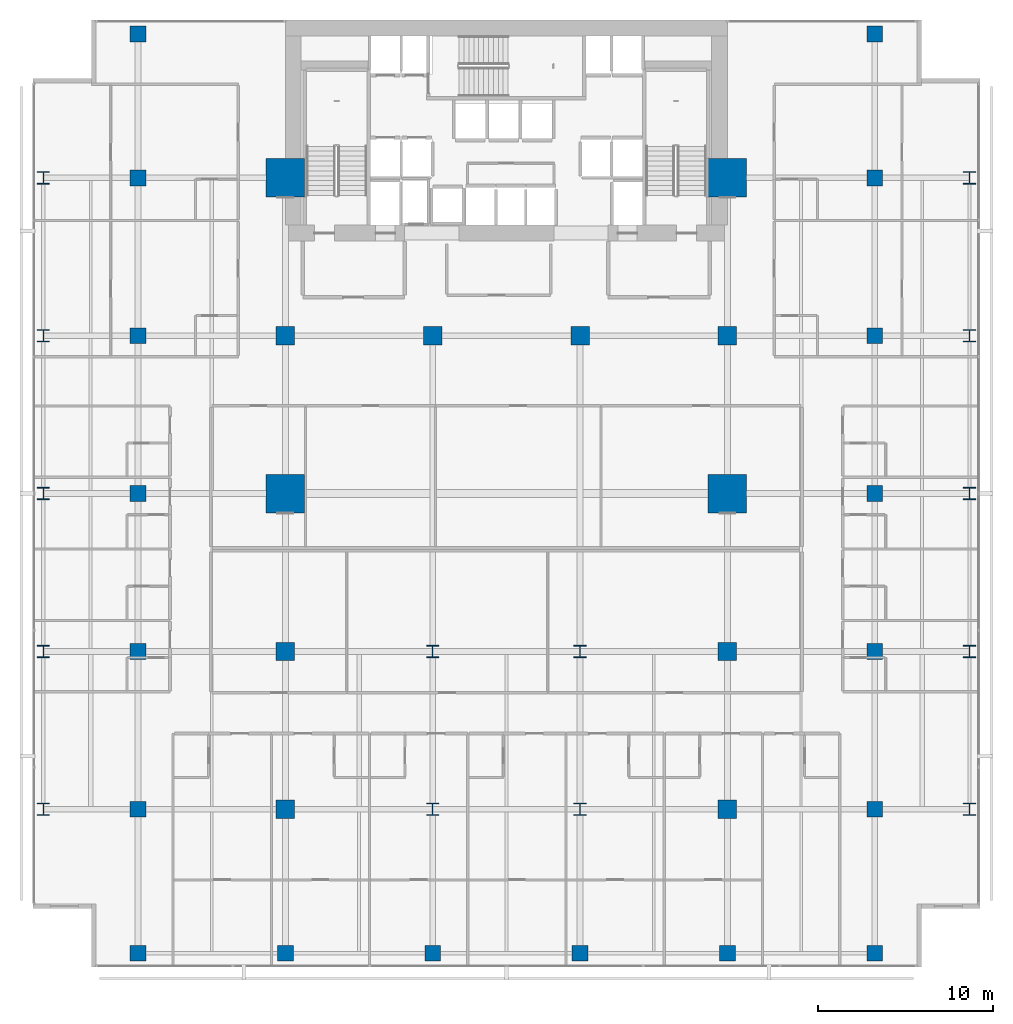
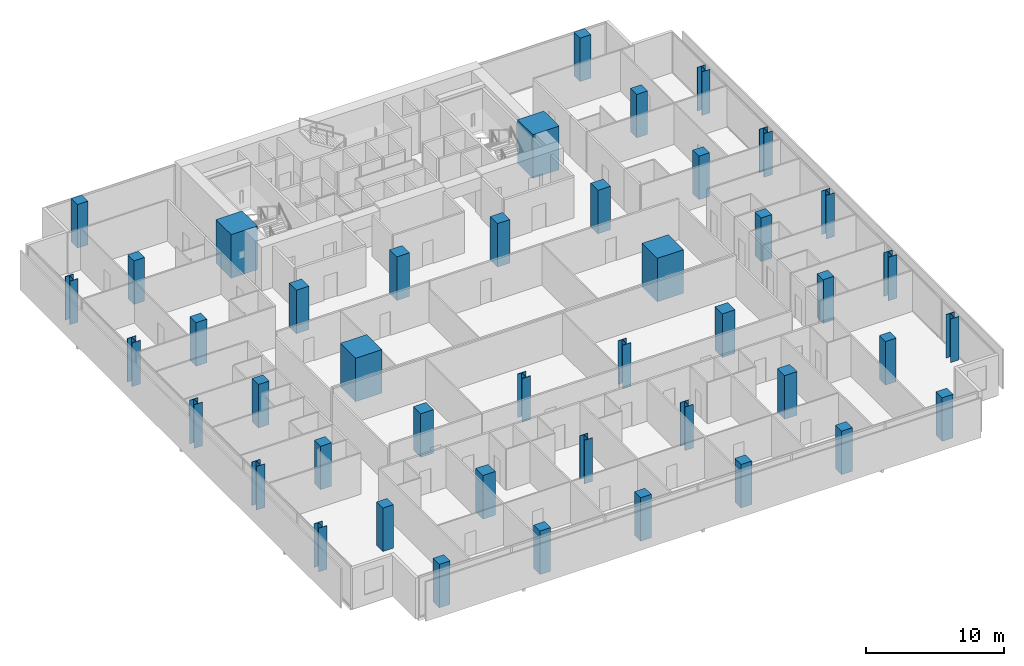
# One storey, part 1 of 40: 44 columns.
"""IFC4 building model written with IfcOpenShell, lengths in metres."""

import ifcopenshell
import ifcopenshell.guid

model = None  # the IFC model being written
_history = None  # IfcOwnerHistory: only IFC2X3 demands one
_inside = {}  # id of a spatial element -> (the spatial element, [elements in it])
_under = {}  # id of a project, library or spatial element -> (it, [spatial elements below it])
_declared = {}  # id of a project -> (the project, [libraries it declares])
_typed = {}  # id of a type object -> (the type object, [elements of that type])
_made_of = {}  # id of a material, layer set ... -> (it, [elements and type objects made of it])


def new_model(schema):
    """Start an empty IFC model of exactly this schema.

    Asked for "IFC4X3", IfcOpenShell would pick the latest addendum, in which some entities
    have other attributes; the version numbers below select the first issue.
    IFC2X3 requires an IfcOwnerHistory on every rooted entity: one is made here for all.
    """
    global model, _history
    if schema == "IFC4X3":
        model = ifcopenshell.file(schema_version=(4, 3, 0, 0))
    else:
        model = ifcopenshell.file(schema=schema)
    _inside.clear()
    _under.clear()
    _declared.clear()
    _typed.clear()
    _made_of.clear()
    _history = None
    if model.schema == "IFC2X3":
        org = make("IfcOrganization", Name="unknown")
        user = make(
            "IfcPersonAndOrganization",
            ThePerson=make("IfcPerson", FamilyName="unknown"),
            TheOrganization=org,
        )
        app = make(
            "IfcApplication",
            ApplicationDeveloper=org,
            Version="unknown",
            ApplicationFullName="unknown",
            ApplicationIdentifier="unknown",
        )
        _history = make(
            "IfcOwnerHistory",
            OwningUser=user,
            OwningApplication=app,
            ChangeAction="ADDED",
            CreationDate=0,
        )
    return model


def make(cls, **values):
    """One entity of the class cls with the attributes given. An attribute that is None is left unset."""
    return model.create_entity(
        cls, **{name: value for name, value in values.items() if value is not None}
    )


def rooted(cls, **values):
    """An entity with a GlobalId (a new one), such as an element, a storey or a relation."""
    return make(cls, GlobalId=ifcopenshell.guid.new(), OwnerHistory=_history, **values)


def si_unit(unit_type, name, prefix=None):
    """IfcSIUnit, for example si_unit("LENGTHUNIT", "METRE", prefix="MILLI")."""
    return make("IfcSIUnit", UnitType=unit_type, Prefix=prefix, Name=name)


def assignment(units):
    """IfcUnitAssignment: the units of a project."""
    return None if units is None else make("IfcUnitAssignment", Units=units)


def point(xyz):
    """IfcCartesianPoint."""
    return None if xyz is None else make("IfcCartesianPoint", Coordinates=xyz)


def direction(xyz):
    """IfcDirection."""
    return None if xyz is None else make("IfcDirection", DirectionRatios=xyz)


def frame(location, z_axis=None, x_axis=None):
    """IfcAxis2Placement3D, a coordinate frame: its origin and axes. An axis left out is left unset."""
    return make(
        "IfcAxis2Placement3D",
        Location=point(location),
        Axis=direction(z_axis),
        RefDirection=direction(x_axis),
    )


def frame_2d(location, x_axis=None):
    """IfcAxis2Placement2D, a coordinate frame in the plane: its origin and x axis."""
    return make(
        "IfcAxis2Placement2D", Location=point(location), RefDirection=direction(x_axis)
    )


def origin():
    """The frame at (0, 0, 0) with its axes left unset."""
    return frame((0.0, 0.0, 0.0))


def origin_2d():
    """The frame at (0, 0) in the plane with its x axis left unset."""
    return frame_2d((0.0, 0.0))


def place(relative_to, where):
    """IfcLocalPlacement: puts the frame where relative to a parent placement (None: the world)."""
    return make(
        "IfcLocalPlacement", PlacementRelTo=relative_to, RelativePlacement=where
    )


def context(
    kind, dimensions, precision=None, world=None, true_north=None, identifier=None
):
    """IfcGeometricRepresentationContext, for example the 3D "Model" context."""
    return make(
        "IfcGeometricRepresentationContext",
        ContextIdentifier=identifier,
        ContextType=kind,
        CoordinateSpaceDimension=dimensions,
        Precision=precision,
        WorldCoordinateSystem=world,
        TrueNorth=true_north,
    )


def subcontext(parent, identifier, kind, view, scale=None):
    """IfcGeometricRepresentationSubContext, for example "Body" below "Model"."""
    return make(
        "IfcGeometricRepresentationSubContext",
        ContextIdentifier=identifier,
        ContextType=kind,
        ParentContext=parent,
        TargetScale=scale,
        TargetView=view,
    )


def project(units=None, contexts=None):
    """IfcProject with its units and contexts."""
    return rooted(
        "IfcProject",
        Name="project",
        RepresentationContexts=contexts,
        UnitsInContext=assignment(units),
    )


def spatial(cls, under=None, at=None, **own):
    """A site, building, storey or space (cls), placed at a placement, below another one or the project."""
    s = rooted(cls, ObjectPlacement=at, **own)
    if under is not None:
        _under.setdefault(under.id(), (under, []))[1].append(s)
    return s


def profile(cls, at=None, kind="AREA", **sizes):
    """A parametric profile (cls). Its sizes go by their IFC names, for example OverallWidth=200.0."""
    return make(cls, ProfileType=kind, Position=at, **sizes)


def rectangle(**sizes):
    """IfcRectangleProfileDef."""
    return profile("IfcRectangleProfileDef", **sizes)


def i_section(**sizes):
    """IfcIShapeProfileDef."""
    return profile("IfcIShapeProfileDef", **sizes)


def extrude(swept, where, along, depth):
    """IfcExtrudedAreaSolid: the profile swept, set in the frame where, extruded along a direction by depth."""
    return make(
        "IfcExtrudedAreaSolid",
        SweptArea=swept,
        Position=where,
        ExtrudedDirection=direction(along),
        Depth=depth,
    )


def shape(context_of_items, identifier, shape_type, items):
    """IfcShapeRepresentation: the items that make up one representation, for example the "Body"."""
    return make(
        "IfcShapeRepresentation",
        ContextOfItems=context_of_items,
        RepresentationIdentifier=identifier,
        RepresentationType=shape_type,
        Items=items,
    )


def material(Name=None, Category=None):
    """IfcMaterial."""
    return make("IfcMaterial", Name=Name, Category=Category)


def material_profile(
    of_material, cross_section, Name=None, Category=None, Priority=None
):
    """IfcMaterialProfile: a cross section and its material."""
    return make(
        "IfcMaterialProfile",
        Name=Name,
        Material=of_material,
        Profile=cross_section,
        Priority=Priority,
        Category=Category,
    )


def profile_set(profiles, Name=None, composite=None):
    """IfcMaterialProfileSet."""
    return make(
        "IfcMaterialProfileSet",
        Name=Name,
        MaterialProfiles=profiles,
        CompositeProfile=composite,
    )


def made_of(thing, what):
    """Note that an element or type object is made of a material, layer set ...; save() writes the relation."""
    if what is not None:
        _made_of.setdefault(what.id(), (what, []))[1].append(thing)
    return thing


def type_object(cls, material=None, **own):
    """A type object (cls), such as IfcWallType, which elements share."""
    return made_of(rooted(cls, **own), material)


def element(
    cls,
    number,
    at=None,
    inside=None,
    cuts=None,
    type_object=None,
    material=None,
    context=None,
    identifier="Body",
    shape_type=None,
    held_by="IfcProductDefinitionShape",
    body=None,
    shapes=None,
    **own,
):
    """One element of the class cls, such as IfcWall. Its Tag is "e" and its number.

    at: its placement. inside: the storey or other place that contains it. cuts: it is an
    opening in that element (IfcRelVoidsElement). A single representation is given by context,
    identifier, shape_type and body (its items); several are given by shapes. held_by: the class
    of the entity that holds the representations. save() writes the other relations.
    """
    e = rooted(cls, Tag="e%d" % number, ObjectPlacement=at, **own)
    if body is not None:
        shapes = [shape(context, identifier, shape_type, body)]
    if shapes is not None:
        e.Representation = make(held_by, Representations=shapes)
    if inside is not None:
        _inside.setdefault(inside.id(), (inside, []))[1].append(e)
    if cuts is not None:
        rooted(
            "IfcRelVoidsElement", RelatingBuildingElement=cuts, RelatedOpeningElement=e
        )
    if type_object is not None:
        _typed.setdefault(type_object.id(), (type_object, []))[1].append(e)
    return made_of(e, material)


def aggregate(whole, parts):
    """IfcRelAggregates: a whole, such as a stair, and the parts it consists of."""
    return rooted("IfcRelAggregates", RelatingObject=whole, RelatedObjects=parts)


def save(model, path):
    """Write the relations noted so far, then the file.

    IfcRelAggregates (storeys below a building ...), IfcRelContainedInSpatialStructure (elements
    in a storey), IfcRelDefinesByType, IfcRelAssociatesMaterial and IfcRelDeclares: one each for
    every whole, place, type object, material and project.
    """
    for whole, parts in _under.values():
        aggregate(whole, parts)
    for where, things in _inside.values():
        rooted(
            "IfcRelContainedInSpatialStructure",
            RelatedElements=things,
            RelatingStructure=where,
        )
    for kind, things in _typed.values():
        rooted("IfcRelDefinesByType", RelatedObjects=things, RelatingType=kind)
    for what, things in _made_of.values():
        rooted("IfcRelAssociatesMaterial", RelatedObjects=things, RelatingMaterial=what)
    for by, libraries in _declared.values():
        rooted("IfcRelDeclares", RelatingContext=by, RelatedDefinitions=libraries)
    model.write(path)


model = new_model("IFC4")

# Units and contexts
model_context = context("Model", 3, precision=1e-05, world=origin(), true_north=direction((0.0, 1.0)))
body_context = subcontext(model_context, "Body", "Model", "MODEL_VIEW")
ifc_project = project(units=[si_unit("LENGTHUNIT", "METRE"), si_unit("AREAUNIT", "SQUARE_METRE"), si_unit("VOLUMEUNIT", "CUBIC_METRE"), si_unit("PLANEANGLEUNIT", "RADIAN"), si_unit("MASSUNIT", "GRAM", prefix="KILO")], contexts=[model_context])

# Site, building, storey
site_placement = place(None, origin())
site = spatial("IfcSite", under=ifc_project, at=site_placement, CompositionType="ELEMENT")
building_placement = place(site_placement, origin())
building = spatial("IfcBuilding", under=site, at=building_placement, Name="Maruvema Waterfront Hotel and Observation Tower", CompositionType="ELEMENT")
storey_placement = place(building_placement, frame((0.0, 0.0, 53.89990234375)))
storey = spatial("IfcBuildingStorey", under=building, at=storey_placement, Name="L12", CompositionType="ELEMENT", Elevation=53.89990234375)

# Columns
ifc_material_1 = material(Name="Concrete C80/95", Category="concrete")
ifc_material_profile_1 = material_profile(ifc_material_1, rectangle(XDim=2.199951171875, YDim=2.199951171875, at=origin_2d()), Name="MC2200x2200")
ifc_profile_set_1 = profile_set([ifc_material_profile_1], Name="Concrete C80/95")
column_type_1 = type_object("IfcColumnType", Name="Continuous Mega-Column MC2200x2200", PredefinedType="COLUMN", material=ifc_profile_set_1)
for number, where, z_axis, x_axis, name in (
    (1, (25.199951171875, 27.0, 0.0), (0.0, 0.0, 1.0), (1.0, 0.0, 0.0), "L12 Continuous Mega-Column MC-01"),
    (2, (50.39990234375, 27.0, 0.0), (0.0, 0.0, 1.0), (1.0, 0.0, 0.0), "L12 Continuous Mega-Column MC-02"),
    (3, (25.199951171875, 45.0, 0.0), (0.0, 0.0, 1.0), (1.0, 0.0, 0.0), "L12 Continuous Mega-Column MC-03"),
    (4, (50.39990234375, 45.0, 0.0), (0.0, 0.0, 1.0), (1.0, 0.0, 0.0), "L12 Continuous Mega-Column MC-04"),
):
    element("IfcColumn", number, at=place(storey_placement, frame(where, z_axis=z_axis, x_axis=x_axis)), inside=storey, type_object=column_type_1, Name=name, PredefinedType="COLUMN", context=body_context, shape_type="SweptSolid", body=[
        extrude(rectangle(XDim=2.199951171875, YDim=2.199951171875, at=origin_2d()), origin(), (0.0, 0.0, 1.0), 3.85009765625),
    ])
ifc_material_2 = material(Name="Concrete C60/75", Category="concrete")
ifc_material_profile_2 = material_profile(ifc_material_2, rectangle(XDim=1.050048828125, YDim=1.050048828125, at=origin_2d()), Name="RC1050x1050")
ifc_profile_set_2 = profile_set([ifc_material_profile_2], Name="Concrete C60/75")
column_type_2 = type_object("IfcColumnType", Name="Reinforced Concrete Column RC1050x1050", PredefinedType="COLUMN", material=ifc_profile_set_2)
for number, where, z_axis, x_axis, name in (
    (5, (25.199951171875, 36.0, 0.0), (0.0, 0.0, 1.0), (1.0, 0.0, 0.0), "L12 Column C-4E"),
    (6, (33.60009765625, 36.0, 0.0), (0.0, 0.0, 1.0), (1.0, 0.0, 0.0), "L12 Column C-5E"),
    (7, (42.0, 36.0, 0.0), (0.0, 0.0, 1.0), (1.0, 0.0, 0.0), "L12 Column C-6E"),
    (8, (50.39990234375, 36.0, 0.0), (0.0, 0.0, 1.0), (1.0, 0.0, 0.0), "L12 Column C-7E"),
    (9, (25.199951171875, 18.0, 0.0), (0.0, 0.0, 1.0), (1.0, 0.0, 0.0), "L12 Column C-4C"),
    (10, (50.39990234375, 18.0, 0.0), (0.0, 0.0, 1.0), (1.0, 0.0, 0.0), "L12 Column C-7C"),
    (11, (25.199951171875, 9.0, 0.0), (0.0, 0.0, 1.0), (1.0, 0.0, 0.0), "L12 Column C-4B"),
    (12, (50.39990234375, 9.0, 0.0), (0.0, 0.0, 1.0), (1.0, 0.0, 0.0), "L12 Column C-7B"),
):
    element("IfcColumn", number, at=place(storey_placement, frame(where, z_axis=z_axis, x_axis=x_axis)), inside=storey, type_object=column_type_2, Name=name, PredefinedType="COLUMN", context=body_context, shape_type="SweptSolid", body=[
        extrude(rectangle(XDim=1.050048828125, YDim=1.050048828125, at=origin_2d()), origin(), (0.0, 0.0, 1.0), 3.85009765625),
    ])
ifc_material_3 = material(Name="Concrete C60/75", Category="concrete")
ifc_material_profile_3 = material_profile(ifc_material_3, rectangle(XDim=0.89990234375, YDim=0.89990234375, at=origin_2d()), Name="RC900x900")
ifc_profile_set_3 = profile_set([ifc_material_profile_3], Name="Concrete C60/75")
column_type_3 = type_object("IfcColumnType", Name="Reinforced Concrete Column RC900x900", PredefinedType="COLUMN", material=ifc_profile_set_3)
for number, where, z_axis, x_axis, name in (
    (13, (16.800048828125, 9.0, 0.0), (0.0, 0.0, 1.0), (1.0, 0.0, 0.0), "L12 Column C-3Y9"),
    (14, (58.800048828125, 9.0, 0.0), (0.0, 0.0, 1.0), (1.0, 0.0, 0.0), "L12 Column C-8Y9"),
    (15, (16.800048828125, 18.0, 0.0), (0.0, 0.0, 1.0), (1.0, 0.0, 0.0), "L12 Column C-3Y18"),
    (16, (58.800048828125, 18.0, 0.0), (0.0, 0.0, 1.0), (1.0, 0.0, 0.0), "L12 Column C-8Y18"),
    (17, (16.800048828125, 27.0, 0.0), (0.0, 0.0, 1.0), (1.0, 0.0, 0.0), "L12 Column C-3Y27"),
    (18, (58.800048828125, 27.0, 0.0), (0.0, 0.0, 1.0), (1.0, 0.0, 0.0), "L12 Column C-8Y27"),
    (19, (16.800048828125, 36.0, 0.0), (0.0, 0.0, 1.0), (1.0, 0.0, 0.0), "L12 Column C-3Y36"),
    (20, (58.800048828125, 36.0, 0.0), (0.0, 0.0, 1.0), (1.0, 0.0, 0.0), "L12 Column C-8Y36"),
    (21, (16.800048828125, 45.0, 0.0), (0.0, 0.0, 1.0), (1.0, 0.0, 0.0), "L12 Column C-3Y45"),
    (22, (58.800048828125, 45.0, 0.0), (0.0, 0.0, 1.0), (1.0, 0.0, 0.0), "L12 Column C-8Y45"),
    (23, (16.800048828125, 0.800048828125, 0.0), (0.0, 0.0, 1.0), (1.0, 0.0, 0.0), "L12 Column C-3A"),
    (24, (25.199951171875, 0.800048828125, 0.0), (0.0, 0.0, 1.0), (1.0, 0.0, 0.0), "L12 Column C-4A"),
    (25, (33.60009765625, 0.800048828125, 0.0), (0.0, 0.0, 1.0), (1.0, 0.0, 0.0), "L12 Column C-5A"),
    (26, (42.0, 0.800048828125, 0.0), (0.0, 0.0, 1.0), (1.0, 0.0, 0.0), "L12 Column C-6A"),
    (27, (50.39990234375, 0.800048828125, 0.0), (0.0, 0.0, 1.0), (1.0, 0.0, 0.0), "L12 Column C-7A"),
    (28, (58.800048828125, 0.800048828125, 0.0), (0.0, 0.0, 1.0), (1.0, 0.0, 0.0), "L12 Column C-8A"),
    (29, (16.800048828125, 53.199951171875, 0.0), (0.0, 0.0, 1.0), (1.0, 0.0, 0.0), "L12 Column C-3G"),
    (30, (58.800048828125, 53.199951171875, 0.0), (0.0, 0.0, 1.0), (1.0, 0.0, 0.0), "L12 Column C-8G"),
):
    element("IfcColumn", number, at=place(storey_placement, frame(where, z_axis=z_axis, x_axis=x_axis)), inside=storey, type_object=column_type_3, Name=name, PredefinedType="COLUMN", context=body_context, shape_type="SweptSolid", body=[
        extrude(rectangle(XDim=0.89990234375, YDim=0.89990234375, at=origin_2d()), origin(), (0.0, 0.0, 1.0), 3.85009765625),
    ])
ifc_material_4 = material(Name="Steel ABNT NBR 7007 AR 415 (ASTM A572 Grade 50)", Category="steel")
ifc_material_profile_4 = material_profile(ifc_material_4, i_section(OverallWidth=0.699951171875, OverallDepth=0.699951171875, WebThickness=0.028076171875, FlangeThickness=0.0439453125, at=origin_2d()), Name="CVS700x436")
ifc_profile_set_4 = profile_set([ifc_material_profile_4], Name="Steel ABNT NBR 7007 AR 415 (ASTM A572 Grade 50)")
column_type_4 = type_object("IfcColumnType", Name="Structural Steel Column CVS700x436", PredefinedType="COLUMN", material=ifc_profile_set_4)
for number, where, z_axis, x_axis, name in (
    (31, (33.60009765625, 9.0, 0.0), (0.0, 0.0, 1.0), (1.0, 0.0, 0.0), "L12 Column C-5B"),
    (32, (42.0, 9.0, 0.0), (0.0, 0.0, 1.0), (1.0, 0.0, 0.0), "L12 Column C-6B"),
    (33, (33.60009765625, 18.0, 0.0), (0.0, 0.0, 1.0), (1.0, 0.0, 0.0), "L12 Column C-5C"),
    (34, (42.0, 18.0, 0.0), (0.0, 0.0, 1.0), (1.0, 0.0, 0.0), "L12 Column C-6C"),
    (35, (11.39990234375, 9.0, 0.0), (0.0, 0.0, 1.0), (1.0, 0.0, 0.0), "L12 Column C-Z1W9"),
    (36, (64.199951171875, 9.0, 0.0), (0.0, 0.0, 1.0), (1.0, 0.0, 0.0), "L12 Column C-Z1E9"),
    (37, (11.39990234375, 18.0, 0.0), (0.0, 0.0, 1.0), (1.0, 0.0, 0.0), "L12 Column C-Z1W18"),
    (38, (64.199951171875, 18.0, 0.0), (0.0, 0.0, 1.0), (1.0, 0.0, 0.0), "L12 Column C-Z1E18"),
    (39, (11.39990234375, 27.0, 0.0), (0.0, 0.0, 1.0), (1.0, 0.0, 0.0), "L12 Column C-Z1W27"),
    (40, (64.199951171875, 27.0, 0.0), (0.0, 0.0, 1.0), (1.0, 0.0, 0.0), "L12 Column C-Z1E27"),
    (41, (11.39990234375, 36.0, 0.0), (0.0, 0.0, 1.0), (1.0, 0.0, 0.0), "L12 Column C-Z1W36"),
    (42, (64.199951171875, 36.0, 0.0), (0.0, 0.0, 1.0), (1.0, 0.0, 0.0), "L12 Column C-Z1E36"),
    (43, (11.39990234375, 45.0, 0.0), (0.0, 0.0, 1.0), (1.0, 0.0, 0.0), "L12 Column C-Z1W45"),
    (44, (64.199951171875, 45.0, 0.0), (0.0, 0.0, 1.0), (1.0, 0.0, 0.0), "L12 Column C-Z1E45"),
):
    element("IfcColumn", number, at=place(storey_placement, frame(where, z_axis=z_axis, x_axis=x_axis)), inside=storey, type_object=column_type_4, Name=name, PredefinedType="COLUMN", context=body_context, shape_type="SweptSolid", body=[
        extrude(i_section(OverallWidth=0.699951171875, OverallDepth=0.699951171875, WebThickness=0.028076171875, FlangeThickness=0.0439453125, at=origin_2d()), origin(), (0.0, 0.0, 1.0), 3.85009765625),
    ])

save(model, "model.ifc")
